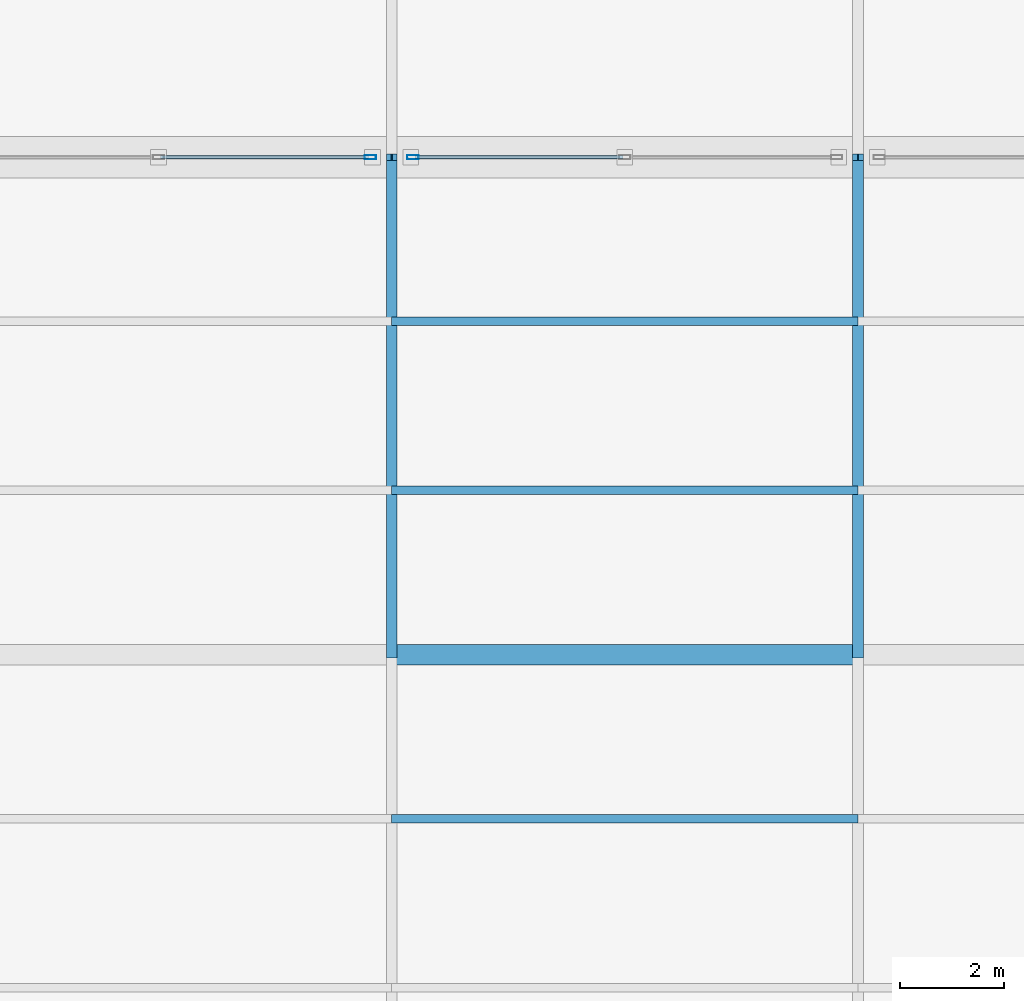
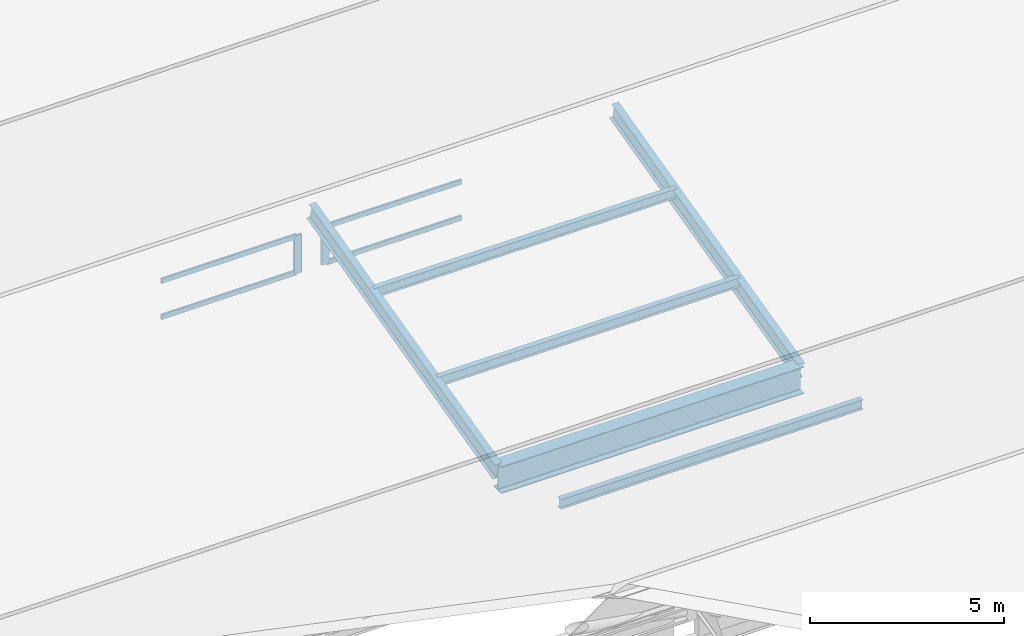
# One storey, part 4 of 36: 11 members, 1 beam, 2 elements without a shape of their own.
"""IFC4 building model written with IfcOpenShell, lengths in metres."""

from ifc_helpers import new_model, si_unit, direction, frame, origin, origin_2d, place, context, subcontext, project, spatial, hollow_rectangle, i_section, extrude, material, layer, layer_set, material_profile, profile_set, type_object, element, aggregate, save


model = new_model("IFC4")

# Units and contexts
model_context = context("Model", 3, precision=1e-05, world=origin(), true_north=direction((0.0, 1.0)))
body_context = subcontext(model_context, "Body", "Model", "MODEL_VIEW")
ifc_project = project(units=[si_unit("LENGTHUNIT", "METRE"), si_unit("AREAUNIT", "SQUARE_METRE"), si_unit("VOLUMEUNIT", "CUBIC_METRE"), si_unit("PLANEANGLEUNIT", "RADIAN"), si_unit("MASSUNIT", "GRAM", prefix="KILO")], contexts=[model_context])

# Site, building, storey
site_placement = place(None, origin())
site = spatial("IfcSite", under=ifc_project, at=site_placement, CompositionType="ELEMENT")
building_placement = place(site_placement, origin())
building = spatial("IfcBuilding", under=site, at=building_placement, Name="Qorvath Tower", CompositionType="ELEMENT")
storey_placement = place(building_placement, frame((0.0, 0.0, 27.0)))
storey = spatial("IfcBuildingStorey", under=building, at=storey_placement, Name="L05", CompositionType="ELEMENT", Elevation=27.0)

# Beam
ifc_material_1 = material(Name="Steel ASTM A992 Grade 50", Category="steel")
ifc_material_profile_1 = material_profile(ifc_material_1, i_section(OverallWidth=0.39892578125, OverallDepth=0.85498046875, WebThickness=0.018310546875, FlangeThickness=0.029296875, FilletRadius=0.02001953125, at=origin_2d()), Name="W33x201")
ifc_profile_set_1 = profile_set([ifc_material_profile_1], Name="Steel ASTM A992 Grade 50")
beam_type = type_object("IfcBeamType", Name="BM-FG2", PredefinedType="BEAM", material=ifc_profile_set_1)
beam_placement = place(storey_placement, frame((50.39990234375, -19.199951171875, -0.7275390625), z_axis=(1.0, 0.0, 0.0), x_axis=(0.0, 1.0, 0.0)))
element("IfcBeam", 1, at=beam_placement, inside=storey, type_object=beam_type, Name="Library Roof Fold Line Girder 3-3", PredefinedType="BEAM", context=body_context, shape_type="SweptSolid", body=[
    extrude(i_section(OverallWidth=0.39892578125, OverallDepth=0.85498046875, WebThickness=0.018310546875, FlangeThickness=0.029296875, FilletRadius=0.02001953125, at=origin_2d()), origin(), (0.0, 0.0, 1.0), 9.0),
])

# Curtain wall, member
ifc_material_2 = material(Name="Anodised aluminium and triple low-E glass", Category="aluminium")
ifc_layer = layer(ifc_material_2, 0.179931640625)
ifc_layer_set = layer_set([ifc_layer], Name="CW-SYS-7")
curtain_wall_type = type_object("IfcCurtainWallType", Name="CW-SYS-7", PredefinedType="NOTDEFINED", material=ifc_layer_set)
curtain_wall_1_placement = place(storey_placement, origin())
curtain_wall_1 = element("IfcCurtainWall", 2, at=curtain_wall_1_placement, inside=storey, type_object=curtain_wall_type, Name="Curtain Wall CW-7 CW-LIB-SKY-2-2", PredefinedType="NOTDEFINED")
ifc_material_3 = material(Name="Anodised aluminium 6063-T6", Category="aluminium")
ifc_material_profile_2 = material_profile(ifc_material_3, hollow_rectangle(XDim=0.080078125, YDim=0.219970703125, WallThickness=0.00439453125, InnerFilletRadius=0.00439453125, OuterFilletRadius=0.009033203125, at=origin_2d()), Name="CWM LIB 220x80")
ifc_profile_set_2 = profile_set([ifc_material_profile_2], Name="Anodised aluminium 6063-T6")
member_type_1 = type_object("IfcMemberType", Name="CWM-LIB", PredefinedType="MULLION", material=ifc_profile_set_2)
member_1_placement = place(storey_placement, frame((49.989990234375, -9.60009765625, 0.0), z_axis=(0.0, 0.0, 1.0), x_axis=(0.0, 1.0, 0.0)))
member_1 = element("IfcMember", 3, at=member_1_placement, type_object=member_type_1, Name="CW-7 mullion 3", PredefinedType="MULLION", context=body_context, shape_type="SweptSolid", body=[
    extrude(hollow_rectangle(XDim=0.080078125, YDim=0.219970703125, WallThickness=0.00439453125, InnerFilletRadius=0.00439453125, OuterFilletRadius=0.009033203125, at=origin_2d()), origin(), (0.0, 0.0, 1.0), 1.199951171875),
])

curtain_wall_2_placement = place(storey_placement, origin())
curtain_wall_2 = element("IfcCurtainWall", 4, at=curtain_wall_2_placement, inside=storey, type_object=curtain_wall_type, Name="Curtain Wall CW-7 CW-LIB-SKY-2-3", PredefinedType="NOTDEFINED")
member_2_placement = place(storey_placement, frame((50.81005859375, -9.60009765625, 0.0), z_axis=(0.0, 0.0, 1.0), x_axis=(0.0, 1.0, 0.0)))
member_2 = element("IfcMember", 5, at=member_2_placement, type_object=member_type_1, Name="CW-7 mullion 1", PredefinedType="MULLION", context=body_context, shape_type="SweptSolid", body=[
    extrude(hollow_rectangle(XDim=0.080078125, YDim=0.219970703125, WallThickness=0.00439453125, InnerFilletRadius=0.00439453125, OuterFilletRadius=0.009033203125, at=origin_2d()), origin(), (0.0, 0.0, 1.0), 1.199951171875),
])

# Member
ifc_material_4 = material(Name="Anodised aluminium 6063-T6", Category="aluminium")
ifc_material_profile_3 = material_profile(ifc_material_4, hollow_rectangle(XDim=0.06494140625, YDim=0.159912109375, WallThickness=0.00341796875, InnerFilletRadius=0.00341796875, OuterFilletRadius=0.007080078125, at=origin_2d()), Name="CWT 160x65")
ifc_profile_set_3 = profile_set([ifc_material_profile_3], Name="Anodised aluminium 6063-T6")
member_type_2 = type_object("IfcMemberType", Name="CWT-160", PredefinedType="USERDEFINED", material=ifc_profile_set_3)
member_3_placement = place(storey_placement, frame((45.93994140625, -9.60009765625, 0.032470703125), z_axis=(1.0, 0.0, 0.0), x_axis=(0.0, 1.0, 0.0)))
member_3 = element("IfcMember", 6, at=member_3_placement, type_object=member_type_2, Name="CW-7 transom 2.1", ObjectType="TRANSOM", PredefinedType="USERDEFINED", context=body_context, shape_type="SweptSolid", body=[
    extrude(hollow_rectangle(XDim=0.06494140625, YDim=0.159912109375, WallThickness=0.00341796875, InnerFilletRadius=0.00341796875, OuterFilletRadius=0.007080078125, at=origin_2d()), origin(), (0.0, 0.0, 1.0), 4.010009765625),
])

member_4_placement = place(storey_placement, frame((45.93994140625, -9.60009765625, 1.16748046875), z_axis=(1.0, 0.0, 0.0), x_axis=(0.0, 1.0, 0.0)))
member_4 = element("IfcMember", 7, at=member_4_placement, type_object=member_type_2, Name="CW-7 transom 2.2", ObjectType="TRANSOM", PredefinedType="USERDEFINED", context=body_context, shape_type="SweptSolid", body=[
    extrude(hollow_rectangle(XDim=0.06494140625, YDim=0.159912109375, WallThickness=0.00341796875, InnerFilletRadius=0.00341796875, OuterFilletRadius=0.007080078125, at=origin_2d()), origin(), (0.0, 0.0, 1.0), 4.010009765625),
])

aggregate(curtain_wall_1, [member_1, member_3, member_4])

member_5_placement = place(storey_placement, frame((50.85009765625, -9.60009765625, 0.032470703125), z_axis=(1.0, 0.0, 0.0), x_axis=(0.0, 1.0, 0.0)))
member_5 = element("IfcMember", 8, at=member_5_placement, type_object=member_type_2, Name="CW-7 transom 1.1", ObjectType="TRANSOM", PredefinedType="USERDEFINED", context=body_context, shape_type="SweptSolid", body=[
    extrude(hollow_rectangle(XDim=0.06494140625, YDim=0.159912109375, WallThickness=0.00341796875, InnerFilletRadius=0.00341796875, OuterFilletRadius=0.007080078125, at=origin_2d()), origin(), (0.0, 0.0, 1.0), 4.010009765625),
])

member_6_placement = place(storey_placement, frame((50.85009765625, -9.60009765625, 1.16748046875), z_axis=(1.0, 0.0, 0.0), x_axis=(0.0, 1.0, 0.0)))
member_6 = element("IfcMember", 9, at=member_6_placement, type_object=member_type_2, Name="CW-7 transom 1.2", ObjectType="TRANSOM", PredefinedType="USERDEFINED", context=body_context, shape_type="SweptSolid", body=[
    extrude(hollow_rectangle(XDim=0.06494140625, YDim=0.159912109375, WallThickness=0.00341796875, InnerFilletRadius=0.00341796875, OuterFilletRadius=0.007080078125, at=origin_2d()), origin(), (0.0, 0.0, 1.0), 4.010009765625),
])

aggregate(curtain_wall_2, [member_2, member_5, member_6])

# Members
ifc_material_5 = material(Name="Steel ASTM A992 Grade 50", Category="steel")
ifc_material_profile_4 = material_profile(ifc_material_5, i_section(OverallWidth=0.1650390625, OverallDepth=0.31005859375, WebThickness=0.005859375, FlangeThickness=0.009765625, FilletRadius=0.010009765625, at=origin_2d()), Name="W12x26")
ifc_profile_set_4 = profile_set([ifc_material_profile_4], Name="Steel ASTM A992 Grade 50")
member_type_3 = type_object("IfcMemberType", Name="MEM-PR1", PredefinedType="PURLIN", material=ifc_profile_set_4)
for number, where, z_axis, x_axis, name in (
    (10, (50.39990234375, -22.367919921875, 0.357177734375), (1.0, 0.0, 0.0), (0.0, 1.0, 0.0), "Library Folded Roof Purlin F2-P2-3"),
    (11, (50.39990234375, -16.031982421875, 0.357177734375), (1.0, 0.0, 0.0), (0.0, 1.0, 0.0), "Library Folded Roof Purlin F3-P1-3"),
    (12, (50.39990234375, -12.76806640625, 1.1708984375), (1.0, 0.0, 0.0), (0.0, 1.0, 0.0), "Library Folded Roof Purlin F3-P2-3"),
):
    element("IfcMember", number, at=place(storey_placement, frame(where, z_axis=z_axis, x_axis=x_axis)), inside=storey, type_object=member_type_3, Name=name, PredefinedType="PURLIN", context=body_context, shape_type="SweptSolid", body=[
        extrude(i_section(OverallWidth=0.1650390625, OverallDepth=0.31005859375, WebThickness=0.005859375, FlangeThickness=0.009765625, FilletRadius=0.010009765625, at=origin_2d()), origin(), (0.0, 0.0, 1.0), 9.0),
    ])
ifc_material_6 = material(Name="Steel ASTM A992 Grade 50", Category="steel")
ifc_material_profile_5 = material_profile(ifc_material_6, i_section(OverallWidth=0.208984375, OverallDepth=0.532958984375, WebThickness=0.01025390625, FlangeThickness=0.015625, FilletRadius=0.013916015625, at=origin_2d()), Name="W21x62")
ifc_profile_set_5 = profile_set([ifc_material_profile_5], Name="Steel ASTM A992 Grade 50")
member_type_4 = type_object("IfcMemberType", Name="MEM-RF1", PredefinedType="RAFTER", material=ifc_profile_set_5)
for number, where, z_axis, x_axis, name in (
    (13, (50.39990234375, -19.199951171875, -0.564208984375), (0.0, 0.970294720706, 0.241925928684), (-1.0, 0.0, 0.0), "Library Folded Roof Rafter F3-3"),
    (14, (59.39990234375, -19.199951171875, -0.564208984375), (0.0, 0.970294720706, 0.241925928684), (-1.0, 0.0, 0.0), "Library Folded Roof Rafter F3-4"),
):
    element("IfcMember", number, at=place(storey_placement, frame(where, z_axis=z_axis, x_axis=x_axis)), inside=storey, type_object=member_type_4, Name=name, PredefinedType="RAFTER", context=body_context, shape_type="SweptSolid", body=[
        extrude(i_section(OverallWidth=0.208984375, OverallDepth=0.532958984375, WebThickness=0.01025390625, FlangeThickness=0.015625, FilletRadius=0.013916015625, at=origin_2d()), origin(), (0.0, 0.0, 1.0), 9.893798828125),
    ])

save(model, "model.ifc")
